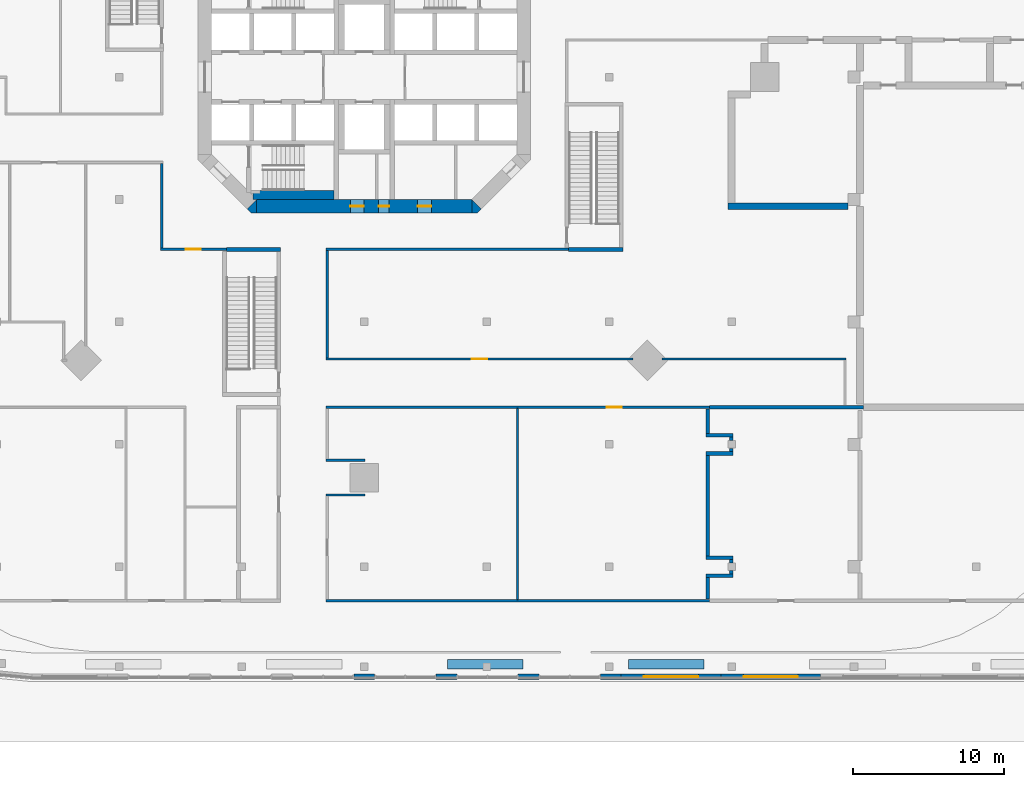
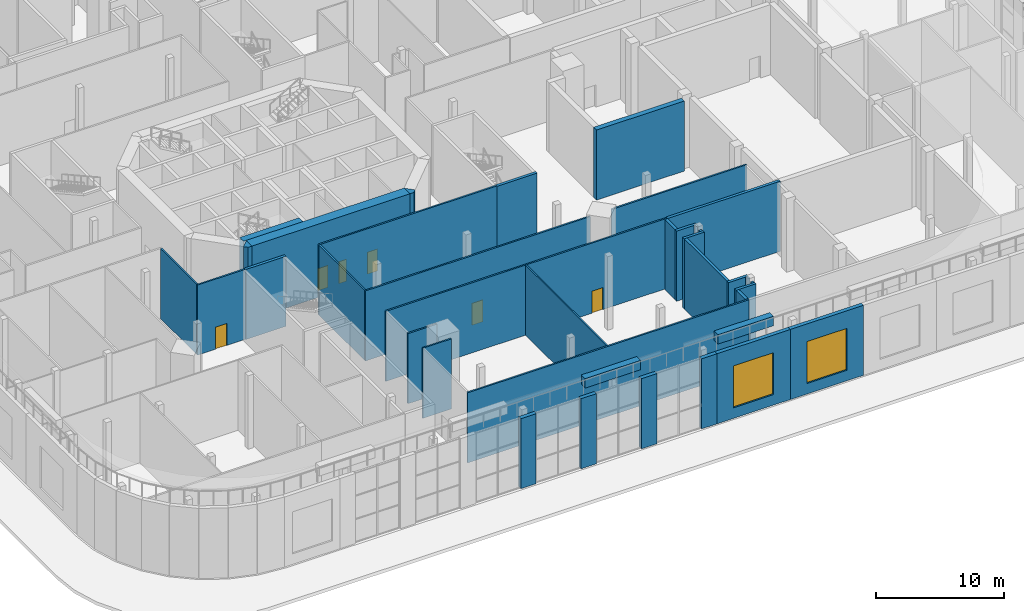
# One storey, part 7 of 21: 38 walls, 6 doors, 2 windows, 8 openings.
"""IFC4 building model written with IfcOpenShell, lengths in metres."""

from ifc_helpers import new_model, si_unit, direction, frame, frame_2d, origin, place, context, subcontext, project, spatial, polyline, rectangle, outline, extrude, material, layer, layer_set, type_object, element, fill, save


model = new_model("IFC4")

# Units and contexts
model_context = context("Model", 3, precision=1e-05, world=origin(), true_north=direction((0.0, 1.0)))
body_context = subcontext(model_context, "Body", "Model", "MODEL_VIEW")
ifc_project = project(units=[si_unit("LENGTHUNIT", "METRE"), si_unit("AREAUNIT", "SQUARE_METRE"), si_unit("VOLUMEUNIT", "CUBIC_METRE"), si_unit("PLANEANGLEUNIT", "RADIAN"), si_unit("MASSUNIT", "GRAM", prefix="KILO")], contexts=[model_context])

# Site, building, storey
site_placement = place(None, origin())
site = spatial("IfcSite", under=ifc_project, at=site_placement, CompositionType="ELEMENT")
building_placement = place(site_placement, origin())
building = spatial("IfcBuilding", under=site, at=building_placement, Name="Torre Triforio", CompositionType="ELEMENT")
storey_placement = place(building_placement, frame((0.0, 0.0, 6.0)))
storey = spatial("IfcBuildingStorey", under=building, at=storey_placement, Name="L01", CompositionType="ELEMENT", Elevation=6.0)

# Wall, openings, doors
ifc_material_1 = material(Name="Concrete C60", Category="concrete")
ifc_layer_1 = layer(ifc_material_1, 0.89990234375)
ifc_layer_set_1 = layer_set([ifc_layer_1], Name="Concrete C60")
wall_type_1 = type_object("IfcWallType", Name="Core wall 900 mm C60 EI 120", PredefinedType="SHEAR", material=ifc_layer_set_1)
wall_1_placement = place(storey_placement, frame((-7.1298828125, -8.550048828125, -0.320068359375), z_axis=(0.0, 0.0, 1.0), x_axis=(1.0, 0.0, 0.0)))
wall_1 = element("IfcWall", 1, at=wall_1_placement, inside=storey, type_object=wall_type_1, Name="Core wall", PredefinedType="SHEAR", context=body_context, shape_type="SweptSolid", body=[
    extrude(rectangle(XDim=14.259765625, YDim=0.89990234375, at=frame_2d((7.1298828125, 0.0))), origin(), (0.0, 0.0, 1.0), 7.0),
])
opening_1_placement = place(wall_1_placement, frame((8.080078125, 0.0, 0.320068359375)))
opening_1 = element("IfcOpeningElement", 2, at=opening_1_placement, cuts=wall_1, Name="Opening RISER-S", PredefinedType="OPENING", context=body_context, shape_type="SweptSolid", body=[
    extrude(rectangle(XDim=0.699951171875, YDim=2.10009765625, at=frame_2d((0.35009765625, 1.050048828125))), frame((0.0, 0.4599609375, 0.0), z_axis=(0.0, -1.0, 0.0), x_axis=(1.0, 0.0, 0.0)), (0.0, 0.0, 1.0), 0.919921875),
])
opening_2_placement = place(wall_1_placement, frame((6.205078125, 0.0, 0.320068359375)))
opening_2 = element("IfcOpeningElement", 3, at=opening_2_placement, cuts=wall_1, Name="Opening SW-01B", PredefinedType="OPENING", context=body_context, shape_type="SweptSolid", body=[
    extrude(rectangle(XDim=0.89990234375, YDim=2.10009765625, at=frame_2d((0.449951171875, 1.050048828125))), frame((0.0, 0.4599609375, 0.0), z_axis=(0.0, -1.0, 0.0), x_axis=(1.0, 0.0, 0.0)), (0.0, 0.0, 1.0), 0.919921875),
])
opening_3_placement = place(wall_1_placement, frame((10.66748046875, 0.0, 0.320068359375)))
opening_3 = element("IfcOpeningElement", 4, at=opening_3_placement, cuts=wall_1, Name="Opening SE-01A", PredefinedType="OPENING", context=body_context, shape_type="SweptSolid", body=[
    extrude(rectangle(XDim=0.89990234375, YDim=2.10009765625, at=frame_2d((0.449951171875, 1.050048828125))), frame((0.0, 0.4599609375, 0.0), z_axis=(0.0, -1.0, 0.0), x_axis=(1.0, 0.0, 0.0)), (0.0, 0.0, 1.0), 0.919921875),
])
ifc_material_2 = material(Name="Hollow metal fire door leaf")
door_type_1 = type_object("IfcDoorType", Name="Riser door 700 x 2100 EI 60", OperationType="NOTDEFINED", PredefinedType="DOOR", material=ifc_material_2)
door_1_placement = place(opening_1_placement, origin())
door_1 = element("IfcDoor", 5, at=door_1_placement, inside=storey, type_object=door_type_1, Name="Core door RISER-S", OperationType="SINGLE_SWING_RIGHT", OverallHeight=2.10009765625, OverallWidth=0.699951171875, PredefinedType="DOOR", context=body_context, shape_type="SweptSolid", body=[
    extrude(rectangle(XDim=0.699951171875, YDim=2.10009765625, at=frame_2d((0.35009765625, 1.050048828125))), frame((0.0, 0.02490234375, 0.0), z_axis=(0.0, -1.0, 0.0), x_axis=(1.0, 0.0, 0.0)), (0.0, 0.0, 1.0), 0.050048828125),
])
fill(opening_1, door_1)
door_type_2 = type_object("IfcDoorType", Name="Room door 900 x 2100 EI 60", OperationType="NOTDEFINED", PredefinedType="DOOR", material=ifc_material_2)
door_2_placement = place(opening_2_placement, origin())
door_2 = element("IfcDoor", 6, at=door_2_placement, inside=storey, type_object=door_type_2, Name="Core door SW-01", OperationType="SINGLE_SWING_LEFT", OverallHeight=2.10009765625, OverallWidth=0.89990234375, PredefinedType="DOOR", context=body_context, shape_type="SweptSolid", body=[
    extrude(rectangle(XDim=0.89990234375, YDim=2.10009765625, at=frame_2d((0.449951171875, 1.050048828125))), frame((0.0, 0.02490234375, 0.0), z_axis=(0.0, -1.0, 0.0), x_axis=(1.0, 0.0, 0.0)), (0.0, 0.0, 1.0), 0.050048828125),
])
fill(opening_2, door_2)
door_3_placement = place(opening_3_placement, origin())
door_3 = element("IfcDoor", 7, at=door_3_placement, inside=storey, type_object=door_type_2, Name="Core door SE-01", OperationType="SINGLE_SWING_LEFT", OverallHeight=2.10009765625, OverallWidth=0.89990234375, PredefinedType="DOOR", context=body_context, shape_type="SweptSolid", body=[
    extrude(rectangle(XDim=0.89990234375, YDim=2.10009765625, at=frame_2d((0.449951171875, 1.050048828125))), frame((0.0, 0.02490234375, 0.0), z_axis=(0.0, -1.0, 0.0), x_axis=(1.0, 0.0, 0.0)), (0.0, 0.0, 1.0), 0.050048828125),
])
fill(opening_3, door_3)

# Walls
wall_2_placement = place(storey_placement, frame((0.0, 0.0, -0.320068359375)))
element("IfcWall", 8, at=wall_2_placement, inside=storey, type_object=wall_type_1, Name="Core wall", PredefinedType="SHEAR", context=body_context, shape_type="SweptSolid", body=[
    extrude(outline(polyline([(-7.472900390625, -9.0), (-7.736328125, -8.736328125), (-7.1298828125, -8.1298828125), (-7.1298828125, -9.0), (-7.472900390625, -9.0)])), origin(), (0.0, 0.0, 1.0), 7.0),
])
wall_3_placement = place(storey_placement, frame((0.0, 0.0, -0.320068359375)))
element("IfcWall", 9, at=wall_3_placement, inside=storey, type_object=wall_type_1, Name="Core wall", PredefinedType="SHEAR", context=body_context, shape_type="SweptSolid", body=[
    extrude(outline(polyline([(7.472900390625, -9.0), (7.1298828125, -9.0), (7.1298828125, -8.1298828125), (7.736328125, -8.736328125), (7.472900390625, -9.0)])), origin(), (0.0, 0.0, 1.0), 7.0),
])

# Wall, opening, door
ifc_material_3 = material(Name="Plasterboard on metal studs")
ifc_layer_2 = layer(ifc_material_3, 0.14990234375)
ifc_layer_set_2 = layer_set([ifc_layer_2], Name="Plasterboard on metal studs")
wall_type_2 = type_object("IfcWallType", Name="Corridor wall 150 EI 60", PredefinedType="PARTITIONING", material=ifc_layer_set_2)
wall_4_placement = place(storey_placement, frame((-13.47509765625, -11.39990234375, 0.0), z_axis=(0.0, 0.0, 1.0), x_axis=(1.0, 0.0, 0.0)))
wall_4 = element("IfcWall", 10, at=wall_4_placement, inside=storey, type_object=wall_type_2, Name="Corridor wall L01 061", PredefinedType="PARTITIONING", context=body_context, shape_type="SweptSolid", body=[
    extrude(rectangle(XDim=4.35009765625, YDim=0.14990234375, at=frame_2d((2.175048828125, 0.0))), origin(), (0.0, 0.0, 1.0), 6.679931640625),
])
opening_4_placement = place(wall_4_placement, frame((1.64990234375, 0.0, 0.0)))
opening_4 = element("IfcOpeningElement", 11, at=opening_4_placement, cuts=wall_4, Name="Opening P1-56", PredefinedType="OPENING", context=body_context, shape_type="SweptSolid", body=[
    extrude(rectangle(XDim=1.0, YDim=2.10009765625, at=frame_2d((0.5, 1.050048828125))), frame((0.0, 0.0849609375, 0.0), z_axis=(0.0, -1.0, 0.0), x_axis=(1.0, 0.0, 0.0)), (0.0, 0.0, 1.0), 0.169921875),
])
ifc_material_4 = material(Name="Timber door leaf", Category="wood")
door_type_3 = type_object("IfcDoorType", Name="Single door 1000 x 2100 EI 30", OperationType="NOTDEFINED", PredefinedType="DOOR", material=ifc_material_4)
door_4_placement = place(opening_4_placement, origin())
door_4 = element("IfcDoor", 12, at=door_4_placement, inside=storey, type_object=door_type_3, Name="Door P1-56", OperationType="SINGLE_SWING_LEFT", OverallHeight=2.10009765625, OverallWidth=1.0, PredefinedType="DOOR", context=body_context, shape_type="SweptSolid", body=[
    extrude(rectangle(XDim=1.0, YDim=2.10009765625, at=frame_2d((0.5, 1.050048828125))), frame((0.0, 0.02490234375, 0.0), z_axis=(0.0, -1.0, 0.0), x_axis=(1.0, 0.0, 0.0)), (0.0, 0.0, 1.0), 0.050048828125),
])
fill(opening_4, door_4)

# Wall
wall_5_placement = place(storey_placement, frame((-13.39990234375, -11.324951171875, 0.0), z_axis=(0.0, 0.0, 1.0), x_axis=(0.0, 1.0, 0.0)))
element("IfcWall", 13, at=wall_5_placement, inside=storey, type_object=wall_type_2, Name="Corridor wall L01 062", PredefinedType="PARTITIONING", context=body_context, shape_type="SweptSolid", body=[
    extrude(rectangle(XDim=5.599853515625, YDim=0.14990234375, at=frame_2d((2.7998046875, 0.0))), origin(), (0.0, 0.0, 1.0), 6.679931640625),
])

# Wall, opening, door
wall_6_placement = place(storey_placement, frame((-2.52490234375, -21.85009765625, 0.0), z_axis=(0.0, 0.0, 1.0), x_axis=(1.0, 0.0, 0.0)))
wall_6 = element("IfcWall", 14, at=wall_6_placement, inside=storey, type_object=wall_type_2, Name="Corridor wall L01 172", PredefinedType="PARTITIONING", context=body_context, shape_type="SweptSolid", body=[
    extrude(rectangle(XDim=25.37841796875, YDim=0.14990234375, at=frame_2d((12.689208984375, 0.0))), origin(), (0.0, 0.0, 1.0), 6.679931640625),
])
opening_5_placement = place(wall_6_placement, frame((18.57421875, 0.0, 0.0)))
opening_5 = element("IfcOpeningElement", 15, at=opening_5_placement, cuts=wall_6, Name="Opening P1-37", PredefinedType="OPENING", context=body_context, shape_type="SweptSolid", body=[
    extrude(rectangle(XDim=1.0, YDim=2.10009765625, at=frame_2d((0.5, 1.050048828125))), frame((0.0, 0.0849609375, 0.0), z_axis=(0.0, -1.0, 0.0), x_axis=(1.0, 0.0, 0.0)), (0.0, 0.0, 1.0), 0.169921875),
])
door_5_placement = place(opening_5_placement, origin())
door_5 = element("IfcDoor", 16, at=door_5_placement, inside=storey, type_object=door_type_3, Name="Door P1-37", OperationType="SINGLE_SWING_LEFT", OverallHeight=2.10009765625, OverallWidth=1.0, PredefinedType="DOOR", context=body_context, shape_type="SweptSolid", body=[
    extrude(rectangle(XDim=1.0, YDim=2.10009765625, at=frame_2d((0.5, 1.050048828125))), frame((0.0, 0.02490234375, 0.0), z_axis=(0.0, -1.0, 0.0), x_axis=(1.0, 0.0, 0.0)), (0.0, 0.0, 1.0), 0.050048828125),
])
fill(opening_5, door_5)

# Walls
wall_7_placement = place(storey_placement, frame((-2.52490234375, -34.64990234375, 0.0), z_axis=(0.0, 0.0, 1.0), x_axis=(1.0, 0.0, 0.0)))
element("IfcWall", 17, at=wall_7_placement, inside=storey, type_object=wall_type_2, Name="Corridor wall L01 173", PredefinedType="PARTITIONING", context=body_context, shape_type="SweptSolid", body=[
    extrude(rectangle(XDim=25.37841796875, YDim=0.14990234375, at=frame_2d((12.689208984375, 0.0))), origin(), (0.0, 0.0, 1.0), 6.679931640625),
])
for number, where, z_axis, x_axis, name in (
    (18, (-2.52490234375, -27.64990234375, 0.0), (0.0, 0.0, 1.0), (1.0, 0.0, 0.0), "Corridor wall L01 174"),
    (19, (-2.52490234375, -25.35009765625, 0.0), (0.0, 0.0, 1.0), (1.0, 0.0, 0.0), "Corridor wall L01 175"),
):
    element("IfcWall", number, at=place(storey_placement, frame(where, z_axis=z_axis, x_axis=x_axis)), inside=storey, type_object=wall_type_2, Name=name, PredefinedType="PARTITIONING", context=body_context, shape_type="SweptSolid", body=[
        extrude(rectangle(XDim=2.579833984375, YDim=0.14990234375, at=frame_2d((1.2900390625, 0.0))), origin(), (0.0, 0.0, 1.0), 6.679931640625),
    ])
wall_8_placement = place(storey_placement, frame((-2.52490234375, -11.39990234375, 0.0), z_axis=(0.0, 0.0, 1.0), x_axis=(1.0, 0.0, 0.0)))
element("IfcWall", 20, at=wall_8_placement, inside=storey, type_object=wall_type_2, Name="Corridor wall L01 204", PredefinedType="PARTITIONING", context=body_context, shape_type="SweptSolid", body=[
    extrude(rectangle(XDim=16.0498046875, YDim=0.14990234375, at=frame_2d((8.02490234375, 0.0))), origin(), (0.0, 0.0, 1.0), 6.679931640625),
])

# Wall, opening, door
wall_9_placement = place(storey_placement, frame((-2.52490234375, -18.64990234375, 0.0), z_axis=(0.0, 0.0, 1.0), x_axis=(1.0, 0.0, 0.0)))
wall_9 = element("IfcWall", 21, at=wall_9_placement, inside=storey, type_object=wall_type_2, Name="Corridor wall L01 208", PredefinedType="PARTITIONING", context=body_context, shape_type="SweptSolid", body=[
    extrude(rectangle(XDim=20.30322265625, YDim=0.14990234375, at=frame_2d((10.151611328125, 0.0))), origin(), (0.0, 0.0, 1.0), 6.679931640625),
])
opening_6_placement = place(wall_9_placement, frame((9.64990234375, 0.0, 0.0)))
opening_6 = element("IfcOpeningElement", 22, at=opening_6_placement, cuts=wall_9, Name="Opening P1-32", PredefinedType="OPENING", context=body_context, shape_type="SweptSolid", body=[
    extrude(rectangle(XDim=1.0, YDim=2.10009765625, at=frame_2d((0.5, 1.050048828125))), frame((0.0, 0.0849609375, 0.0), z_axis=(0.0, -1.0, 0.0), x_axis=(1.0, 0.0, 0.0)), (0.0, 0.0, 1.0), 0.169921875),
])
door_6_placement = place(opening_6_placement, origin())
door_6 = element("IfcDoor", 23, at=door_6_placement, inside=storey, type_object=door_type_3, Name="Door P1-32", OperationType="SINGLE_SWING_LEFT", OverallHeight=2.10009765625, OverallWidth=1.0, PredefinedType="DOOR", context=body_context, shape_type="SweptSolid", body=[
    extrude(rectangle(XDim=1.0, YDim=2.10009765625, at=frame_2d((0.5, 1.050048828125))), frame((0.0, 0.02490234375, 0.0), z_axis=(0.0, -1.0, 0.0), x_axis=(1.0, 0.0, 0.0)), (0.0, 0.0, 1.0), 0.050048828125),
])
fill(opening_6, door_6)

# Walls
wall_10_placement = place(storey_placement, frame((19.6982421875, -18.64990234375, 0.0), z_axis=(0.0, 0.0, 1.0), x_axis=(1.0, 0.0, 0.0)))
element("IfcWall", 24, at=wall_10_placement, inside=storey, type_object=wall_type_2, Name="Corridor wall L01 209", PredefinedType="PARTITIONING", context=body_context, shape_type="SweptSolid", body=[
    extrude(rectangle(XDim=12.1767578125, YDim=0.14990234375, at=frame_2d((6.08837890625, 0.0))), origin(), (0.0, 0.0, 1.0), 6.679931640625),
])
wall_11_placement = place(storey_placement, frame((-2.449951171875, -18.574951171875, 0.0), z_axis=(0.0, 0.0, 1.0), x_axis=(0.0, 1.0, 0.0)))
element("IfcWall", 25, at=wall_11_placement, inside=storey, type_object=wall_type_2, Name="Corridor wall L01 220", PredefinedType="PARTITIONING", context=body_context, shape_type="SweptSolid", body=[
    extrude(rectangle(XDim=7.099853515625, YDim=0.14990234375, at=frame_2d((3.5498046875, 0.0))), origin(), (0.0, 0.0, 1.0), 6.679931640625),
])
ifc_layer_3 = layer(ifc_material_3, 0.1201171875)
ifc_layer_set_3 = layer_set([ifc_layer_3], Name="Plasterboard on metal studs")
wall_type_3 = type_object("IfcWallType", Name="Partition 120", PredefinedType="PARTITIONING", material=ifc_layer_set_3)
wall_12_placement = place(storey_placement, frame((10.139404296875, -34.574951171875, 0.0), z_axis=(0.0, 0.0, 1.0), x_axis=(0.0, 1.0, 0.0)))
element("IfcWall", 26, at=wall_12_placement, inside=storey, type_object=wall_type_3, Name="Partition L01 171", PredefinedType="PARTITIONING", context=body_context, shape_type="SweptSolid", body=[
    extrude(rectangle(XDim=12.64990234375, YDim=0.1201171875, at=frame_2d((6.324951171875, 0.0))), origin(), (0.0, 0.0, 1.0), 6.679931640625),
])
ifc_material_5 = material(Name="Masonry block", Category="masonry")
ifc_layer_4 = layer(ifc_material_5, 0.25)
ifc_layer_set_4 = layer_set([ifc_layer_4], Name="Masonry block")
wall_type_4 = type_object("IfcWallType", Name="Plant room wall 250 EI 120", PredefinedType="PARTITIONING", material=ifc_layer_set_4)
for number, where, z_axis, x_axis, name in (
    (27, (22.603515625, -33.0, 0.0), (0.0, 0.0, 1.0), (1.0, 0.0, 0.0), "Plant room wall L01 178"),
    (28, (22.603515625, -31.800048828125, 0.0), (0.0, 0.0, 1.0), (1.0, 0.0, 0.0), "Plant room wall L01 179"),
    (29, (22.603515625, -24.89990234375, 0.0), (0.0, 0.0, 1.0), (1.0, 0.0, 0.0), "Plant room wall L01 180"),
    (30, (22.603515625, -23.699951171875, 0.0), (0.0, 0.0, 1.0), (1.0, 0.0, 0.0), "Plant room wall L01 181"),
):
    element("IfcWall", number, at=place(storey_placement, frame(where, z_axis=z_axis, x_axis=x_axis)), inside=storey, type_object=wall_type_4, Name=name, PredefinedType="PARTITIONING", context=body_context, shape_type="SweptSolid", body=[
        extrude(rectangle(XDim=1.801513671875, YDim=0.25, at=frame_2d((0.90087890625, 0.0))), origin(), (0.0, 0.0, 1.0), 6.679931640625),
    ])
wall_13_placement = place(storey_placement, frame((22.728515625, -34.52490234375, 0.0), z_axis=(0.0, 0.0, 1.0), x_axis=(0.0, 1.0, 0.0)))
element("IfcWall", 31, at=wall_13_placement, inside=storey, type_object=wall_type_4, Name="Plant room wall L01 182", PredefinedType="PARTITIONING", context=body_context, shape_type="SweptSolid", body=[
    extrude(rectangle(XDim=1.39990234375, YDim=0.25, at=frame_2d((0.699951171875, 0.0))), origin(), (0.0, 0.0, 1.0), 6.679931640625),
])
wall_14_placement = place(storey_placement, frame((22.728515625, -31.675048828125, 0.0), z_axis=(0.0, 0.0, 1.0), x_axis=(0.0, 1.0, 0.0)))
element("IfcWall", 32, at=wall_14_placement, inside=storey, type_object=wall_type_4, Name="Plant room wall L01 183", PredefinedType="PARTITIONING", context=body_context, shape_type="SweptSolid", body=[
    extrude(rectangle(XDim=6.650146484375, YDim=0.25, at=frame_2d((3.3251953125, 0.0))), origin(), (0.0, 0.0, 1.0), 6.679931640625),
])
wall_15_placement = place(storey_placement, frame((22.728515625, -23.574951171875, 0.0), z_axis=(0.0, 0.0, 1.0), x_axis=(0.0, 1.0, 0.0)))
element("IfcWall", 33, at=wall_15_placement, inside=storey, type_object=wall_type_4, Name="Plant room wall L01 184", PredefinedType="PARTITIONING", context=body_context, shape_type="SweptSolid", body=[
    extrude(rectangle(XDim=1.599853515625, YDim=0.25, at=frame_2d((0.7998046875, 0.0))), origin(), (0.0, 0.0, 1.0), 6.679931640625),
])
wall_16_placement = place(storey_placement, frame((24.280029296875, -32.875, 0.0), z_axis=(0.0, 0.0, 1.0), x_axis=(0.0, 1.0, 0.0)))
element("IfcWall", 34, at=wall_16_placement, inside=storey, type_object=wall_type_4, Name="Plant room wall L01 185", PredefinedType="PARTITIONING", context=body_context, shape_type="SweptSolid", body=[
    extrude(rectangle(XDim=0.215087890625, YDim=0.25, at=frame_2d((0.107421875, 0.0))), origin(), (0.0, 0.0, 1.0), 6.679931640625),
])
for number, where, z_axis, x_axis, name in (
    (35, (24.280029296875, -32.139892578125, 0.0), (0.0, 0.0, 1.0), (0.0, 1.0, 0.0), "Plant room wall L01 186"),
    (36, (24.280029296875, -24.77490234375, 0.0), (0.0, 0.0, 1.0), (0.0, 1.0, 0.0), "Plant room wall L01 187"),
):
    element("IfcWall", number, at=place(storey_placement, frame(where, z_axis=z_axis, x_axis=x_axis)), inside=storey, type_object=wall_type_4, Name=name, PredefinedType="PARTITIONING", context=body_context, shape_type="SweptSolid", body=[
        extrude(rectangle(XDim=0.21484375, YDim=0.25, at=frame_2d((0.107421875, 0.0))), origin(), (0.0, 0.0, 1.0), 6.679931640625),
    ])
wall_17_placement = place(storey_placement, frame((24.280029296875, -24.0400390625, 0.0), z_axis=(0.0, 0.0, 1.0), x_axis=(0.0, 1.0, 0.0)))
element("IfcWall", 37, at=wall_17_placement, inside=storey, type_object=wall_type_4, Name="Plant room wall L01 188", PredefinedType="PARTITIONING", context=body_context, shape_type="SweptSolid", body=[
    extrude(rectangle(XDim=0.215087890625, YDim=0.25, at=frame_2d((0.107421875, 0.0))), origin(), (0.0, 0.0, 1.0), 6.679931640625),
])
wall_18_placement = place(storey_placement, frame((22.853515625, -21.85009765625, 0.0), z_axis=(0.0, 0.0, 1.0), x_axis=(1.0, 0.0, 0.0)))
element("IfcWall", 38, at=wall_18_placement, inside=storey, type_object=wall_type_4, Name="Plant room wall L01 211", PredefinedType="PARTITIONING", context=body_context, shape_type="SweptSolid", body=[
    extrude(rectangle(XDim=10.17138671875, YDim=0.25, at=frame_2d((5.085693359375, 0.0))), origin(), (0.0, 0.0, 1.0), 6.679931640625),
])
ifc_material_6 = material(Name="Concrete C40", Category="concrete")
ifc_layer_5 = layer(ifc_material_6, 0.25)
ifc_layer_set_5 = layer_set([ifc_layer_5], Name="Concrete C40")
wall_type_5 = type_object("IfcWallType", Name="Stair enclosure wall 250 EI 120", PredefinedType="STANDARD", material=ifc_layer_set_5)
for number, where, z_axis, x_axis, name in (
    (39, (13.52490234375, -11.39990234375, 0.0), (0.0, 0.0, 1.0), (1.0, 0.0, 0.0), "Stair enclosure wall L01 196"),
    (40, (-9.125, -11.39990234375, 0.0), (0.0, 0.0, 1.0), (1.0, 0.0, 0.0), "Stair enclosure wall L01 199"),
):
    element("IfcWall", number, at=place(storey_placement, frame(where, z_axis=z_axis, x_axis=x_axis)), inside=storey, type_object=wall_type_5, Name=name, PredefinedType="STANDARD", context=body_context, shape_type="SweptSolid", body=[
        extrude(rectangle(XDim=3.60009765625, YDim=0.25, at=frame_2d((1.800048828125, 0.0))), origin(), (0.0, 0.0, 1.0), 6.679931640625),
    ])
ifc_layer_6 = layer(ifc_material_1, 0.60009765625)
ifc_layer_set_6 = layer_set([ifc_layer_6], Name="Concrete C60")
wall_type_6 = type_object("IfcWallType", Name="Stair wall 600 mm C60 EI 120", PredefinedType="SHEAR", material=ifc_layer_set_6)
wall_19_placement = place(storey_placement, frame((-7.3701171875, -7.800048828125, 0.0), z_axis=(0.0, 0.0, 1.0), x_axis=(1.0, 0.0, 0.0)))
element("IfcWall", 41, at=wall_19_placement, inside=storey, type_object=wall_type_6, Name="Stair wall", PredefinedType="SHEAR", context=body_context, shape_type="SweptSolid", body=[
    extrude(rectangle(XDim=5.3701171875, YDim=0.60009765625, at=frame_2d((2.68505859375, 0.0))), origin(), (0.0, 0.0, 1.0), 6.679931640625),
])
ifc_material_7 = material(Name="Limestone cladding", Category="masonry")
ifc_layer_7 = layer(ifc_material_7, 0.10009765625)
ifc_layer_8 = layer(ifc_material_6, 0.25)
ifc_layer_set_7 = layer_set([ifc_layer_7, ifc_layer_8], Name="Limestone cladding / Concrete C40")
wall_type_7 = type_object("IfcWallType", Name="Stone-clad podium wall 350", PredefinedType="STANDARD", material=ifc_layer_set_7)
for number, where, z_axis, x_axis, name in (
    (42, (-0.69287109375, -39.675048828125, 0.0), (0.0, 0.0, 1.0), (1.0, 0.0, 0.0), "External wall L01 e35.0.1.g3"),
    (43, (4.742919921875, -39.675048828125, 0.0), (0.0, 0.0, 1.0), (1.0, 0.0, 0.0), "External wall L01 e35.0.1.g4"),
):
    element("IfcWall", number, at=place(storey_placement, frame(where, z_axis=z_axis, x_axis=x_axis)), inside=storey, type_object=wall_type_7, Name=name, PredefinedType="STANDARD", context=body_context, shape_type="SweptSolid", body=[
        extrude(rectangle(XDim=1.3857421875, YDim=0.35009765625, at=frame_2d((0.69287109375, 0.0))), origin(), (0.0, 0.0, 1.0), 6.679931640625),
    ])
wall_20_placement = place(storey_placement, frame((10.1787109375, -39.675048828125, 0.0), z_axis=(0.0, 0.0, 1.0), x_axis=(1.0, 0.0, 0.0)))
element("IfcWall", 44, at=wall_20_placement, inside=storey, type_object=wall_type_7, Name="External wall L01 e35.0.1.g5", PredefinedType="STANDARD", context=body_context, shape_type="SweptSolid", body=[
    extrude(rectangle(XDim=1.385498046875, YDim=0.35009765625, at=frame_2d((0.69287109375, 0.0))), origin(), (0.0, 0.0, 1.0), 6.679931640625),
])
wall_21_placement = place(storey_placement, frame((15.6142578125, -39.675048828125, 0.0), z_axis=(0.0, 0.0, 1.0), x_axis=(1.0, 0.0, 0.0)))
element("IfcWall", 45, at=wall_21_placement, inside=storey, type_object=wall_type_7, Name="External wall L01 e35.0.1.g6", PredefinedType="STANDARD", context=body_context, shape_type="SweptSolid", body=[
    extrude(rectangle(XDim=1.3857421875, YDim=0.35009765625, at=frame_2d((0.69287109375, 0.0))), origin(), (0.0, 0.0, 1.0), 6.679931640625),
])

# Wall, opening, window
wall_22_placement = place(storey_placement, frame((17.0, -39.675048828125, 0.0), z_axis=(0.0, 0.0, 1.0), x_axis=(1.0, 0.0, 0.0)))
wall_22 = element("IfcWall", 46, at=wall_22_placement, inside=storey, type_object=wall_type_7, Name="External wall L01 e35.0.2.w0", PredefinedType="STANDARD", context=body_context, shape_type="SweptSolid", body=[
    extrude(rectangle(XDim=6.5966796875, YDim=0.35009765625, at=frame_2d((3.29833984375, 0.0))), origin(), (0.0, 0.0, 1.0), 6.679931640625),
])
opening_7_placement = place(wall_22_placement, frame((1.498291015625, 0.0, 1.0)))
opening_7 = element("IfcOpeningElement", 47, at=opening_7_placement, cuts=wall_22, Name="Opening P1-W22", PredefinedType="OPENING", context=body_context, shape_type="SweptSolid", body=[
    extrude(rectangle(XDim=3.60009765625, YDim=4.0, at=frame_2d((1.800048828125, 2.0))), frame((0.0, 0.18505859375, 0.0), z_axis=(0.0, -1.0, 0.0), x_axis=(1.0, 0.0, 0.0)), (0.0, 0.0, 1.0), 0.3701171875),
])
ifc_material_8 = material(Name="Aluminium frame with clear double glazing", Category="aluminium")
window_type = type_object("IfcWindowType", Name="Podium window 3600 x 4000", PartitioningType="DOUBLE_PANEL_VERTICAL", PredefinedType="WINDOW", material=ifc_material_8)
window_1_placement = place(opening_7_placement, origin())
window_1 = element("IfcWindow", 48, at=window_1_placement, inside=storey, type_object=window_type, Name="Window L01 e35.0.2.w0", OverallHeight=4.0, OverallWidth=3.60009765625, PartitioningType="SINGLE_PANEL", PredefinedType="WINDOW", context=body_context, shape_type="SweptSolid", body=[
    extrude(rectangle(XDim=3.60009765625, YDim=4.0, at=frame_2d((1.800048828125, 2.0))), frame((0.0, 0.030029296875, 0.0), z_axis=(0.0, -1.0, 0.0), x_axis=(1.0, 0.0, 0.0)), (0.0, 0.0, 1.0), 0.06005859375),
])
fill(opening_7, window_1)

wall_23_placement = place(storey_placement, frame((23.5966796875, -39.675048828125, 0.0), z_axis=(0.0, 0.0, 1.0), x_axis=(1.0, 0.0, 0.0)))
wall_23 = element("IfcWall", 49, at=wall_23_placement, inside=storey, type_object=wall_type_7, Name="External wall L01 e35.0.2.w1", PredefinedType="STANDARD", context=body_context, shape_type="SweptSolid", body=[
    extrude(rectangle(XDim=6.596923828125, YDim=0.35009765625, at=frame_2d((3.29833984375, 0.0))), origin(), (0.0, 0.0, 1.0), 6.679931640625),
])
opening_8_placement = place(wall_23_placement, frame((1.498291015625, 0.0, 1.0)))
opening_8 = element("IfcOpeningElement", 50, at=opening_8_placement, cuts=wall_23, Name="Opening P1-W23", PredefinedType="OPENING", context=body_context, shape_type="SweptSolid", body=[
    extrude(rectangle(XDim=3.60009765625, YDim=4.0, at=frame_2d((1.800048828125, 2.0))), frame((0.0, 0.18505859375, 0.0), z_axis=(0.0, -1.0, 0.0), x_axis=(1.0, 0.0, 0.0)), (0.0, 0.0, 1.0), 0.3701171875),
])
window_2_placement = place(opening_8_placement, origin())
window_2 = element("IfcWindow", 51, at=window_2_placement, inside=storey, type_object=window_type, Name="Window L01 e35.0.2.w1", OverallHeight=4.0, OverallWidth=3.60009765625, PartitioningType="SINGLE_PANEL", PredefinedType="WINDOW", context=body_context, shape_type="SweptSolid", body=[
    extrude(rectangle(XDim=3.60009765625, YDim=4.0, at=frame_2d((1.800048828125, 2.0))), frame((0.0, 0.030029296875, 0.0), z_axis=(0.0, -1.0, 0.0), x_axis=(1.0, 0.0, 0.0)), (0.0, 0.0, 1.0), 0.06005859375),
])
fill(opening_8, window_2)

# Walls
ifc_material_9 = material(Name="Double leaf masonry acoustic wall", Category="masonry")
ifc_layer_9 = layer(ifc_material_9, 0.449951171875)
ifc_layer_set_8 = layer_set([ifc_layer_9], Name="Double leaf masonry acoustic wall")
wall_type_8 = type_object("IfcWallType", Name="Studio sound wall 450 EI 60", PredefinedType="PARTITIONING", material=ifc_layer_set_8)
wall_24_placement = place(storey_placement, frame((24.074951171875, -8.550048828125, 0.0), z_axis=(0.0, 0.0, 1.0), x_axis=(1.0, 0.0, 0.0)))
element("IfcWall", 52, at=wall_24_placement, inside=storey, type_object=wall_type_8, Name="Studio sound wall L01 038", PredefinedType="PARTITIONING", context=body_context, shape_type="SweptSolid", body=[
    extrude(rectangle(XDim=7.9150390625, YDim=0.449951171875, at=frame_2d((3.95751953125, 0.0))), origin(), (0.0, 0.0, 1.0), 6.679931640625),
])
ifc_layer_10 = layer(ifc_material_7, 0.10009765625)
ifc_layer_11 = layer(ifc_material_6, 0.5)
ifc_layer_set_9 = layer_set([ifc_layer_10, ifc_layer_11], Name="Limestone cladding / Concrete C40")
wall_type_9 = type_object("IfcWallType", Name="Terrace planter wall 600", PredefinedType="PARAPET", material=ifc_layer_set_9)
for number, where, z_axis, x_axis, name in (
    (53, (5.509521484375, -38.85009765625, 7.0), (0.0, 0.0, 1.0), (1.0, 0.0, 0.0), "Terrace T2 planter 36.3"),
    (54, (17.490478515625, -38.85009765625, 7.0), (0.0, 0.0, 1.0), (1.0, 0.0, 0.0), "Terrace T2 planter 36.4"),
):
    element("IfcWall", number, at=place(storey_placement, frame(where, z_axis=z_axis, x_axis=x_axis)), inside=storey, type_object=wall_type_9, Name=name, PredefinedType="PARAPET", context=body_context, shape_type="SweptSolid", body=[
        extrude(rectangle(XDim=5.0, YDim=0.60009765625, at=frame_2d((2.5, 0.0))), origin(), (0.0, 0.0, 1.0), 0.89990234375),
    ])

save(model, "model.ifc")
